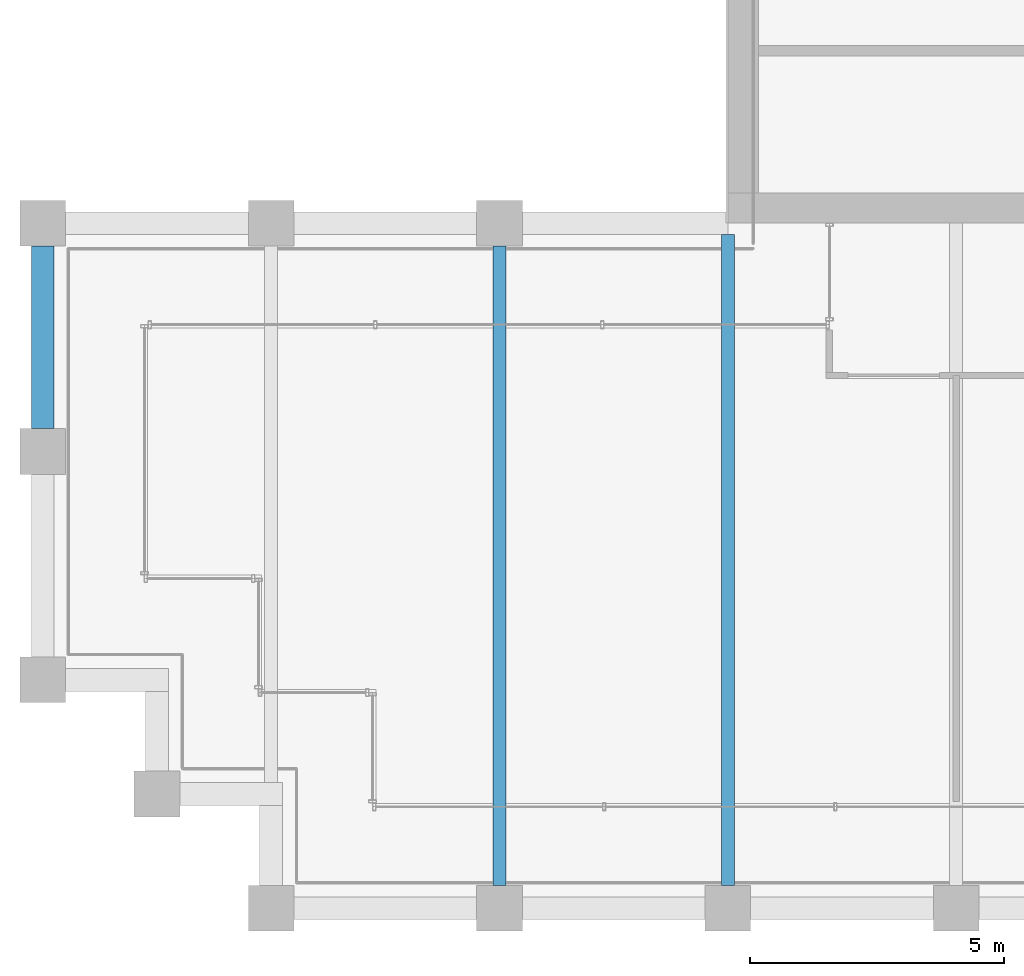
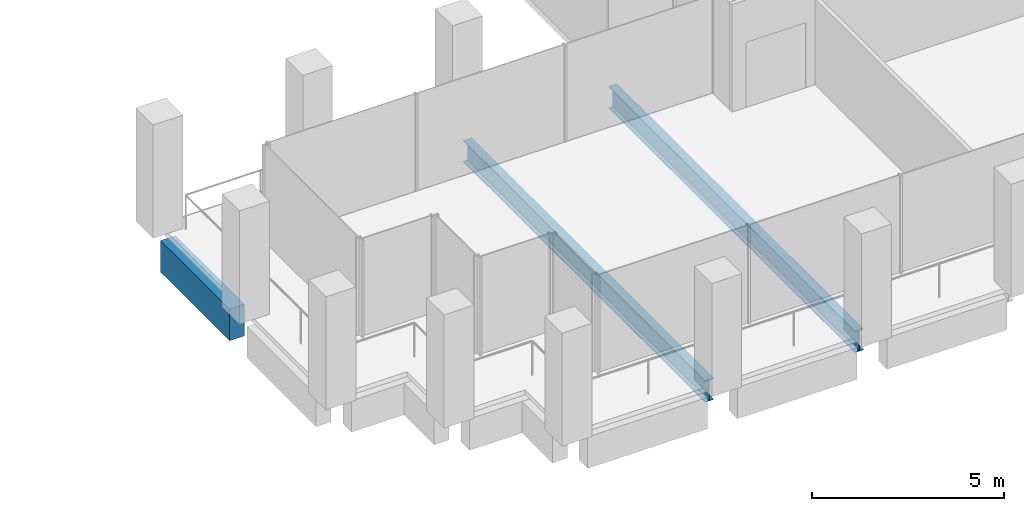
# One storey, part 4 of 40: 3 beams.
"""IFC4 building model written with IfcOpenShell, lengths in metres."""

from ifc_helpers import new_model, si_unit, direction, frame, origin, origin_2d, place, context, subcontext, project, spatial, rectangle, i_section, extrude, material, material_profile, profile_set, type_object, element, save


model = new_model("IFC4")

# Units and contexts
model_context = context("Model", 3, precision=1e-05, world=origin(), true_north=direction((0.0, 1.0)))
body_context = subcontext(model_context, "Body", "Model", "MODEL_VIEW")
ifc_project = project(units=[si_unit("LENGTHUNIT", "METRE"), si_unit("AREAUNIT", "SQUARE_METRE"), si_unit("VOLUMEUNIT", "CUBIC_METRE"), si_unit("PLANEANGLEUNIT", "RADIAN"), si_unit("MASSUNIT", "GRAM", prefix="KILO")], contexts=[model_context])

# Site, building, storey
site_placement = place(None, origin())
site = spatial("IfcSite", under=ifc_project, at=site_placement, CompositionType="ELEMENT")
building_placement = place(site_placement, origin())
building = spatial("IfcBuilding", under=site, at=building_placement, Name="Altepetl Exchange Towers", CompositionType="ELEMENT")
storey_placement = place(building_placement, frame((0.0, 0.0, 183.39990234375)))
storey = spatial("IfcBuildingStorey", under=building, at=storey_placement, Name="L46", CompositionType="ELEMENT", Elevation=183.39990234375)

# Beams
ifc_material_1 = material(Name="Steel S355", Category="steel")
ifc_material_profile_1 = material_profile(ifc_material_1, i_section(OverallWidth=0.25390625, OverallDepth=0.68408203125, WebThickness=0.012451171875, FlangeThickness=0.018798828125, at=origin_2d()), Name="W27X94")
ifc_profile_set_1 = profile_set([ifc_material_profile_1], Name="Steel S355")
beam_type_1 = type_object("IfcBeamType", Name="Floor beam W27X94", PredefinedType="BEAM", material=ifc_profile_set_1)
beam_1_placement = place(storey_placement, frame((36.0, 27.449951171875, -0.491943359375), z_axis=(0.0, 1.0, 0.0), x_axis=(-1.0, 0.0, 0.0)))
element("IfcBeam", 1, at=beam_1_placement, inside=storey, type_object=beam_type_1, Name="bm:A:L46:013", PredefinedType="BEAM", context=body_context, shape_type="SweptSolid", body=[
    extrude(i_section(OverallWidth=0.25390625, OverallDepth=0.68408203125, WebThickness=0.012451171875, FlangeThickness=0.018798828125, at=origin_2d()), origin(), (0.0, 0.0, 1.0), 12.60009765625),
])
beam_2_placement = place(storey_placement, frame((40.5, 27.449951171875, -0.491943359375), z_axis=(0.0, 1.0, 0.0), x_axis=(-1.0, 0.0, 0.0)))
element("IfcBeam", 2, at=beam_2_placement, inside=storey, type_object=beam_type_1, Name="bm:A:L46:014", PredefinedType="BEAM", context=body_context, shape_type="SweptSolid", body=[
    extrude(i_section(OverallWidth=0.25390625, OverallDepth=0.68408203125, WebThickness=0.012451171875, FlangeThickness=0.018798828125, at=origin_2d()), origin(), (0.0, 0.0, 1.0), 12.824951171875),
])
ifc_material_2 = material(Name="Concrete C50/60 precast with cantera blanca facing", Category="concrete")
ifc_material_profile_2 = material_profile(ifc_material_2, rectangle(XDim=0.449951171875, YDim=1.0, at=origin_2d()), Name="450 x 1000")
ifc_profile_set_2 = profile_set([ifc_material_profile_2], Name="Concrete C50/60 precast with cantera blanca facing")
beam_type_2 = type_object("IfcBeamType", Name="Spandrel beam 450x1000 cantera blanca", PredefinedType="SPANDREL", material=ifc_profile_set_2)
beam_3_placement = place(storey_placement, frame((27.0, 40.050048828125, -0.64990234375), z_axis=(0.0, -1.0, 0.0), x_axis=(1.0, 0.0, 0.0)))
element("IfcBeam", 3, at=beam_3_placement, inside=storey, type_object=beam_type_2, Name="sp:A:L46:036", PredefinedType="SPANDREL", context=body_context, shape_type="SweptSolid", body=[
    extrude(rectangle(XDim=0.449951171875, YDim=1.0, at=origin_2d()), origin(), (0.0, 0.0, 1.0), 3.60009765625),
])

save(model, "model.ifc")
